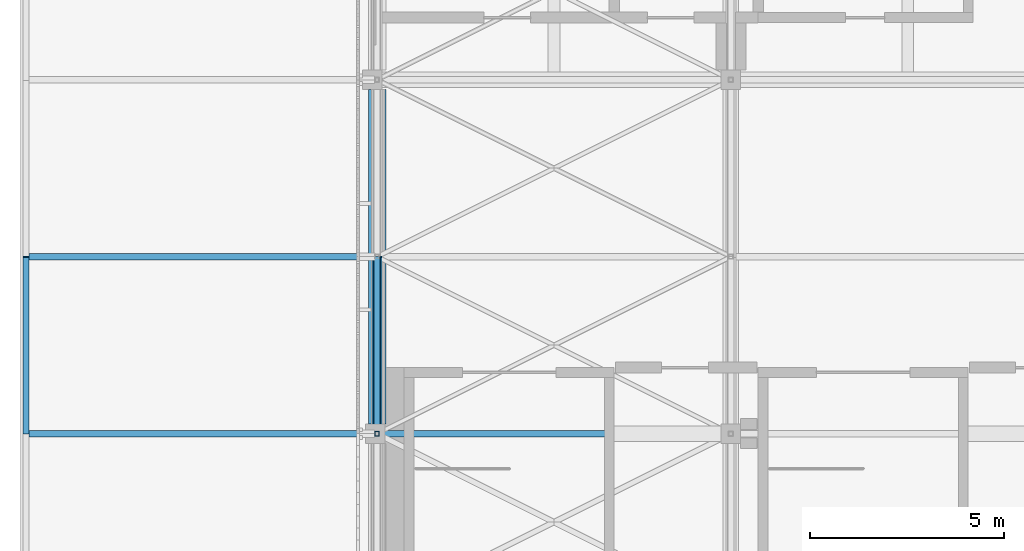
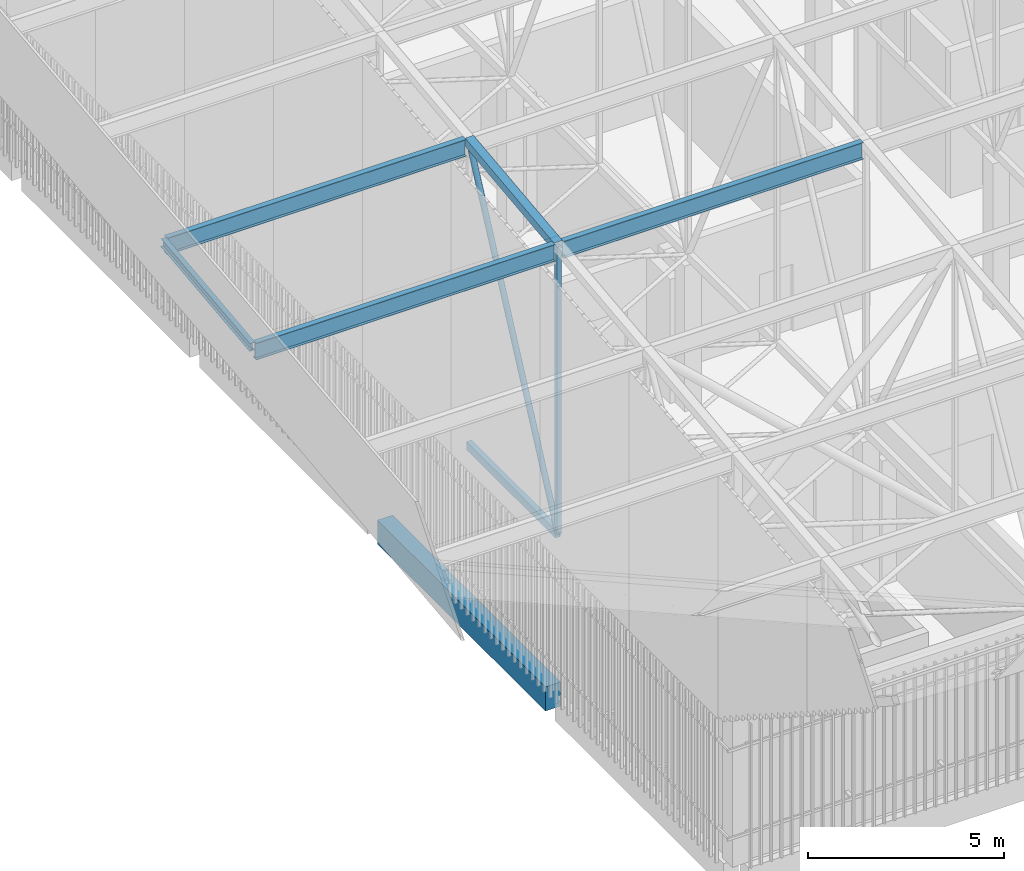
# One storey, part 13 of 500: 8 members, 1 beam.
"""IFC4 building model written with IfcOpenShell, lengths in metres."""

from ifc_helpers import new_model, si_unit, direction, frame, origin, origin_2d, place, context, subcontext, project, spatial, rectangle, hollow_rectangle, hollow_circle, i_section, extrude, material, material_profile, profile_set, type_object, element, save


model = new_model("IFC4")

# Units and contexts
model_context = context("Model", 3, precision=1e-05, world=origin(), true_north=direction((0.0, 1.0)))
body_context = subcontext(model_context, "Body", "Model", "MODEL_VIEW")
ifc_project = project(units=[si_unit("LENGTHUNIT", "METRE"), si_unit("AREAUNIT", "SQUARE_METRE"), si_unit("VOLUMEUNIT", "CUBIC_METRE"), si_unit("PLANEANGLEUNIT", "RADIAN"), si_unit("MASSUNIT", "GRAM", prefix="KILO")], contexts=[model_context])

# Site, building, storey
site_placement = place(None, origin())
site = spatial("IfcSite", under=ifc_project, at=site_placement, CompositionType="ELEMENT")
building_placement = place(site_placement, origin())
building = spatial("IfcBuilding", under=site, at=building_placement, Name="Shirokan Park Arena", CompositionType="ELEMENT")
storey_placement = place(building_placement, frame((0.0, 0.0, 29.1201171875)))
storey = spatial("IfcBuildingStorey", under=building, at=storey_placement, Name="L06", CompositionType="ELEMENT", Elevation=29.1201171875)

# Members
ifc_material_1 = material(Name="Steel ASTM A500 Grade C", Category="steel")
ifc_material_profile_1 = material_profile(ifc_material_1, hollow_rectangle(XDim=0.152099609375, YDim=0.25390625, WallThickness=0.009521484375, at=origin_2d()), Name="HSS254X152.4X9.5")
ifc_profile_set_1 = profile_set([ifc_material_profile_1], Name="Steel ASTM A500 Grade C")
member_type_1 = type_object("IfcMemberType", Name="Bottom chord HSS254X152.4X9.5", PredefinedType="CHORD", material=ifc_profile_set_1)
member_1_placement = place(storey_placement, frame((0.0, 9.10009765625, 4.677001953125), z_axis=(0.0, 1.0, 0.0), x_axis=(-1.0, 0.0, 0.0)))
element("IfcMember", 1, at=member_1_placement, inside=storey, type_object=member_type_1, Name="Truss T01 bottom chord 5", PredefinedType="CHORD", context=body_context, shape_type="SweptSolid", body=[
    extrude(hollow_rectangle(XDim=0.152099609375, YDim=0.25390625, WallThickness=0.009521484375, at=origin_2d()), origin(), (0.0, 0.0, 1.0), 4.5498046875),
])
ifc_material_2 = material(Name="Steel ASTM A992", Category="steel")
ifc_material_profile_2 = material_profile(ifc_material_2, i_section(OverallWidth=0.166015625, OverallDepth=0.528076171875, WebThickness=0.009765625, FlangeThickness=0.013671875, at=origin_2d()), Name="W530X74")
ifc_profile_set_2 = profile_set([ifc_material_profile_2], Name="Steel ASTM A992")
member_type_2 = type_object("IfcMemberType", Name="Purlin W530X74", PredefinedType="PURLIN", material=ifc_profile_set_2)
member_2_placement = place(storey_placement, frame((0.126953125, 9.10009765625, 13.52587890625), z_axis=(1.0, 0.0, 0.0), x_axis=(0.0, 1.0, 0.0)))
element("IfcMember", 2, at=member_2_placement, inside=storey, type_object=member_type_2, Name="Purlin 5 bay 1", PredefinedType="PURLIN", context=body_context, shape_type="SweptSolid", body=[
    extrude(i_section(OverallWidth=0.166015625, OverallDepth=0.528076171875, WebThickness=0.009765625, FlangeThickness=0.013671875, at=origin_2d()), origin(), (0.0, 0.0, 1.0), 8.845947265625),
])
for number, where, z_axis, x_axis, name in (
    (3, (-8.951904296875, 9.10009765625, 13.52587890625), (1.0, 0.0, 0.0), (0.0, 1.0, 0.0), "Eave purlin west 5"),
    (4, (-8.951904296875, 13.64990234375, 14.0458984375), (1.0, 0.0, 0.0), (0.0, 1.0, 0.0), "Eave purlin west 6"),
):
    element("IfcMember", number, at=place(storey_placement, frame(where, z_axis=z_axis, x_axis=x_axis)), inside=storey, type_object=member_type_2, Name=name, PredefinedType="PURLIN", context=body_context, shape_type="SweptSolid", body=[
        extrude(i_section(OverallWidth=0.166015625, OverallDepth=0.528076171875, WebThickness=0.009765625, FlangeThickness=0.013671875, at=origin_2d()), origin(), (0.0, 0.0, 1.0), 8.824951171875),
    ])

# Beam
ifc_material_3 = material(Name="Concrete C35", Category="concrete")
ifc_material_profile_3 = material_profile(ifc_material_3, rectangle(XDim=0.449951171875, YDim=0.75, at=origin_2d()), Name="450x750")
ifc_profile_set_3 = profile_set([ifc_material_profile_3], Name="Concrete C35")
beam_type = type_object("IfcBeamType", Name="RC girder 450x750", PredefinedType="BEAM", material=ifc_profile_set_3)
beam_placement = place(storey_placement, frame((0.0, 9.35009765625, -0.5751953125), z_axis=(0.0, 1.0, 0.0), x_axis=(-1.0, 0.0, 0.0)))
element("IfcBeam", 5, at=beam_placement, inside=storey, type_object=beam_type, Name="Girder 1B-1C L06", PredefinedType="BEAM", context=body_context, shape_type="SweptSolid", body=[
    extrude(rectangle(XDim=0.449951171875, YDim=0.75, at=origin_2d()), origin(), (0.0, 0.0, 1.0), 8.599853515625),
])

# Members
ifc_material_profile_4 = material_profile(ifc_material_2, i_section(OverallWidth=0.14794921875, OverallDepth=0.26708984375, WebThickness=0.007568359375, FlangeThickness=0.012939453125, at=origin_2d()), Name="W250X44.8")
ifc_profile_set_4 = profile_set([ifc_material_profile_4], Name="Steel ASTM A992")
member_type_3 = type_object("IfcMemberType", Name="Roof edge beam W250X44.8", PredefinedType="USERDEFINED", material=ifc_profile_set_4)
member_3_placement = place(storey_placement, frame((-9.02587890625, 9.10009765625, 13.656494140625), z_axis=(0.0, 0.993537655009, 0.113502987096), x_axis=(-1.0, 0.0, 0.0)))
element("IfcMember", 6, at=member_3_placement, inside=storey, type_object=member_type_3, Name="Roof edge beam W 5", ObjectType="ROOF EDGE BEAM", PredefinedType="USERDEFINED", context=body_context, shape_type="SweptSolid", body=[
    extrude(i_section(OverallWidth=0.14794921875, OverallDepth=0.26708984375, WebThickness=0.007568359375, FlangeThickness=0.012939453125, at=origin_2d()), origin(), (0.0, 0.0, 1.0), 4.579345703125),
])
ifc_material_profile_5 = material_profile(ifc_material_1, hollow_rectangle(XDim=0.25390625, YDim=0.25390625, WallThickness=0.009521484375, at=origin_2d()), Name="HSS254X254X9.5")
ifc_profile_set_5 = profile_set([ifc_material_profile_5], Name="Steel ASTM A500 Grade C")
member_type_4 = type_object("IfcMemberType", Name="Top chord HSS254X254X9.5", PredefinedType="CHORD", material=ifc_profile_set_5)
member_4_placement = place(storey_placement, frame((0.0, 9.10009765625, 13.662841796875), z_axis=(0.0, 0.993531641592, 0.11355561261), x_axis=(-1.0, 0.0, 0.0)))
element("IfcMember", 7, at=member_4_placement, inside=storey, type_object=member_type_4, Name="Truss T01 top chord 5", PredefinedType="CHORD", context=body_context, shape_type="SweptSolid", body=[
    extrude(hollow_rectangle(XDim=0.25390625, YDim=0.25390625, WallThickness=0.009521484375, at=origin_2d()), origin(), (0.0, 0.0, 1.0), 4.579345703125),
])
ifc_material_profile_6 = material_profile(ifc_material_1, hollow_circle(Radius=0.083984375, WallThickness=0.009521484375, at=origin_2d()), Name="HSS168.3X9.5")
ifc_profile_set_6 = profile_set([ifc_material_profile_6], Name="Steel ASTM A500 Grade C")
member_type_5 = type_object("IfcMemberType", Name="Truss diagonal HSS168.3X9.5", PredefinedType="BRACE", material=ifc_profile_set_6)
member_5_placement = place(storey_placement, frame((0.0, 9.10009765625, 4.677001953125), z_axis=(0.0, 0.431727628527, 0.90200402148), x_axis=(-1.0, 0.0, 0.0)))
element("IfcMember", 8, at=member_5_placement, inside=storey, type_object=member_type_5, Name="Truss T01 diagonal 5", PredefinedType="BRACE", context=body_context, shape_type="SweptSolid", body=[
    extrude(hollow_circle(Radius=0.083984375, WallThickness=0.009521484375, at=origin_2d()), origin(), (0.0, 0.0, 1.0), 10.53857421875),
])
ifc_material_profile_7 = material_profile(ifc_material_1, hollow_rectangle(XDim=0.126953125, YDim=0.126953125, WallThickness=0.0126953125, at=origin_2d()), Name="HSS127X127X12.7")
ifc_profile_set_7 = profile_set([ifc_material_profile_7], Name="Steel ASTM A500 Grade C")
member_type_6 = type_object("IfcMemberType", Name="Truss post HSS127X127X12.7", PredefinedType="POST", material=ifc_profile_set_7)
member_6_placement = place(storey_placement, frame((0.0, 9.10009765625, 4.677001953125), z_axis=(0.0, 0.0, 1.0), x_axis=(1.0, 0.0, 0.0)))
element("IfcMember", 9, at=member_6_placement, inside=storey, type_object=member_type_6, Name="Truss T01 post 5", PredefinedType="POST", context=body_context, shape_type="SweptSolid", body=[
    extrude(hollow_rectangle(XDim=0.126953125, YDim=0.126953125, WallThickness=0.0126953125, at=origin_2d()), origin(), (0.0, 0.0, 1.0), 8.98583984375),
])

save(model, "model.ifc")
